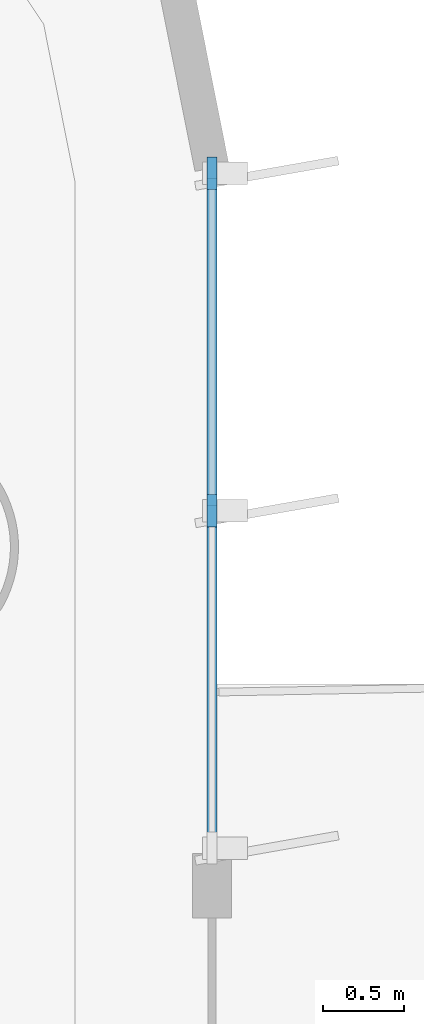
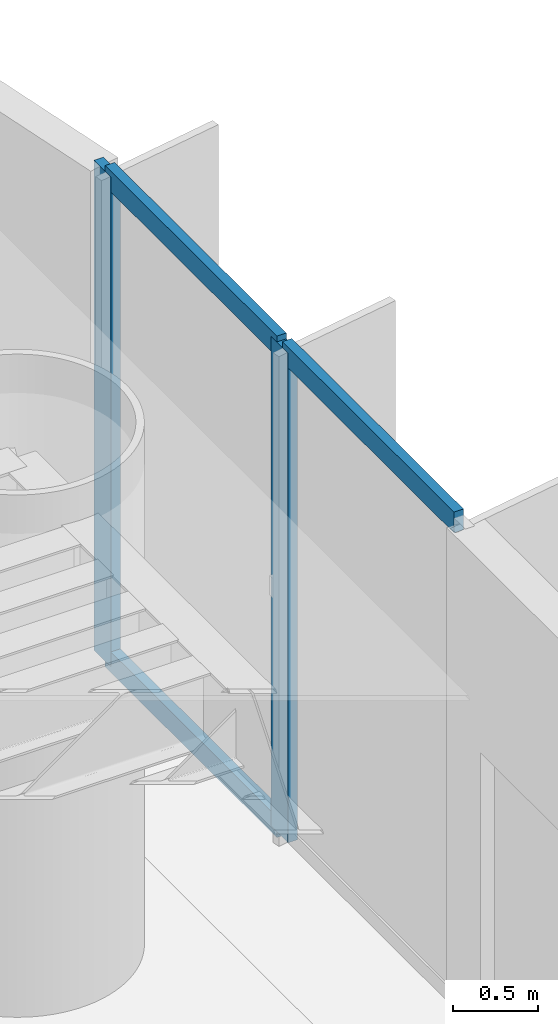
# One storey, part 6 of 17: 5 members, 1 element without a shape of its own.
"""IFC4 building model written with IfcOpenShell, lengths in metres."""

from ifc_helpers import new_model, si_unit, direction, frame, origin, origin_2d, place, context, subcontext, project, spatial, rectangle, extrude, source, transform, mapped, material, layer, layer_set, material_profile, profile_set, type_object, element, aggregate, save


model = new_model("IFC4")

# Units and contexts
model_context = context("Model", 3, precision=1e-05, world=origin(), true_north=direction((0.0, 1.0)))
body_context = subcontext(model_context, "Body", "Model", "MODEL_VIEW")
ifc_project = project(units=[si_unit("LENGTHUNIT", "METRE"), si_unit("AREAUNIT", "SQUARE_METRE"), si_unit("VOLUMEUNIT", "CUBIC_METRE"), si_unit("PLANEANGLEUNIT", "RADIAN"), si_unit("MASSUNIT", "GRAM", prefix="KILO")], contexts=[model_context])

# Site, building, storey
site_placement = place(None, origin())
site = spatial("IfcSite", under=ifc_project, at=site_placement, CompositionType="ELEMENT")
building_placement = place(site_placement, origin())
building = spatial("IfcBuilding", under=site, at=building_placement, Name="Brelvock Crest Care Tower", CompositionType="ELEMENT")
storey_placement = place(building_placement, frame((0.0, 0.0, 53.4599609375)))
storey = spatial("IfcBuildingStorey", under=building, at=storey_placement, Name="L13", CompositionType="ELEMENT", Elevation=53.4599609375)

# Curtain wall, members
ifc_material_1 = material(Name="Dark Glass Double Glazed Low-E", Category="glass")
ifc_layer = layer(ifc_material_1, 0.195068359375, Name="CWS-2")
ifc_layer_set = layer_set([ifc_layer], Name="Dark Glass Double Glazed Low-E")
curtain_wall_type = type_object("IfcCurtainWallType", Name="CWS-2", PredefinedType="NOTDEFINED", material=ifc_layer_set)
curtain_wall_placement = place(storey_placement, origin())
curtain_wall = element("IfcCurtainWall", 1, at=curtain_wall_placement, inside=storey, type_object=curtain_wall_type, Name="L13 Curtain Wall E03A", PredefinedType="NOTDEFINED")
ifc_material_2 = material(Name="Aluminium 6063-T6", Category="aluminium")
ifc_material_profile_1 = material_profile(ifc_material_2, rectangle(XDim=0.06494140625, YDim=0.199951171875, at=origin_2d()), Name="ALU65x200")
ifc_profile_set_1 = profile_set([ifc_material_profile_1], Name="Aluminium 6063-T6")
member_type_1 = type_object("IfcMemberType", Name="CWM-1", PredefinedType="MULLION", material=ifc_profile_set_1)
shared_shape_1 = source(origin(), body_context, "Body", "SweptSolid", [
    extrude(rectangle(XDim=0.06494140625, YDim=0.199951171875, at=origin_2d()), origin(), (0.0, 0.0, 1.0), 3.530029296875),
])
member_1_placement = place(storey_placement, frame((60.0, 32.767578125, 0.0), z_axis=(0.0, 0.0, 1.0), x_axis=(1.0, 0.0, 0.0)))
member_1 = element("IfcMember", 2, at=member_1_placement, type_object=member_type_1, Name="CW-2 mullion 1", PredefinedType="MULLION", context=body_context, shape_type="MappedRepresentation", body=[
    mapped(shared_shape_1, transform((0.0, 0.0, 0.0), x_axis=(1.0, 0.0, 0.0), y_axis=(0.0, 1.0, 0.0), z_axis=(0.0, 0.0, 1.0), scale=1.0)),
])
member_2_placement = place(storey_placement, frame((60.0, 30.675048828125, 0.0), z_axis=(0.0, 0.0, 1.0), x_axis=(1.0, 0.0, 0.0)))
member_2 = element("IfcMember", 3, at=member_2_placement, type_object=member_type_1, Name="CW-2 mullion 2", PredefinedType="MULLION", context=body_context, shape_type="MappedRepresentation", body=[
    mapped(shared_shape_1, transform((0.0, 0.0, 0.0), x_axis=(1.0, 0.0, 0.0), y_axis=(0.0, 1.0, 0.0), z_axis=(0.0, 0.0, 1.0), scale=1.0)),
])
ifc_material_profile_2 = material_profile(ifc_material_2, rectangle(XDim=0.06494140625, YDim=0.14990234375, at=origin_2d()), Name="ALU65x150")
ifc_profile_set_2 = profile_set([ifc_material_profile_2], Name="Aluminium 6063-T6")
member_type_2 = type_object("IfcMemberType", Name="CWT-1", PredefinedType="USERDEFINED", material=ifc_profile_set_2)
shared_shape_2 = source(origin(), body_context, "Body", "SweptSolid", [
    extrude(rectangle(XDim=0.06494140625, YDim=0.14990234375, at=origin_2d()), origin(), (0.0, 0.0, 1.0), 2.027587890625),
])
member_3_placement = place(storey_placement, frame((60.0, 32.735107421875, 0.032470703125), z_axis=(0.0, -1.0, 0.0), x_axis=(1.0, 0.0, 0.0)))
member_3 = element("IfcMember", 4, at=member_3_placement, type_object=member_type_2, Name="CW-2 transom 1.1", ObjectType="TRANSOM", PredefinedType="USERDEFINED", context=body_context, shape_type="MappedRepresentation", body=[
    mapped(shared_shape_2, transform((0.0, 0.0, 0.0), x_axis=(1.0, 0.0, 0.0), y_axis=(0.0, 1.0, 0.0), z_axis=(0.0, 0.0, 1.0), scale=1.0)),
])
member_4_placement = place(storey_placement, frame((60.0, 32.735107421875, 3.49755859375), z_axis=(0.0, -1.0, 0.0), x_axis=(1.0, 0.0, 0.0)))
member_4 = element("IfcMember", 5, at=member_4_placement, type_object=member_type_2, Name="CW-2 transom 1.2", ObjectType="TRANSOM", PredefinedType="USERDEFINED", context=body_context, shape_type="MappedRepresentation", body=[
    mapped(shared_shape_2, transform((0.0, 0.0, 0.0), x_axis=(1.0, 0.0, 0.0), y_axis=(0.0, 1.0, 0.0), z_axis=(0.0, 0.0, 1.0), scale=1.0)),
])
member_5_placement = place(storey_placement, frame((60.0, 30.642578125, 3.49755859375), z_axis=(0.0, -1.0, 0.0), x_axis=(1.0, 0.0, 0.0)))
member_5 = element("IfcMember", 6, at=member_5_placement, type_object=member_type_2, Name="CW-2 transom 2.2", ObjectType="TRANSOM", PredefinedType="USERDEFINED", context=body_context, shape_type="MappedRepresentation", body=[
    mapped(shared_shape_2, transform((0.0, 0.0, 0.0), x_axis=(1.0, 0.0, 0.0), y_axis=(0.0, 1.0, 0.0), z_axis=(0.0, 0.0, 1.0), scale=1.0)),
])
aggregate(curtain_wall, [member_1, member_2, member_3, member_4, member_5])

save(model, "model.ifc")
